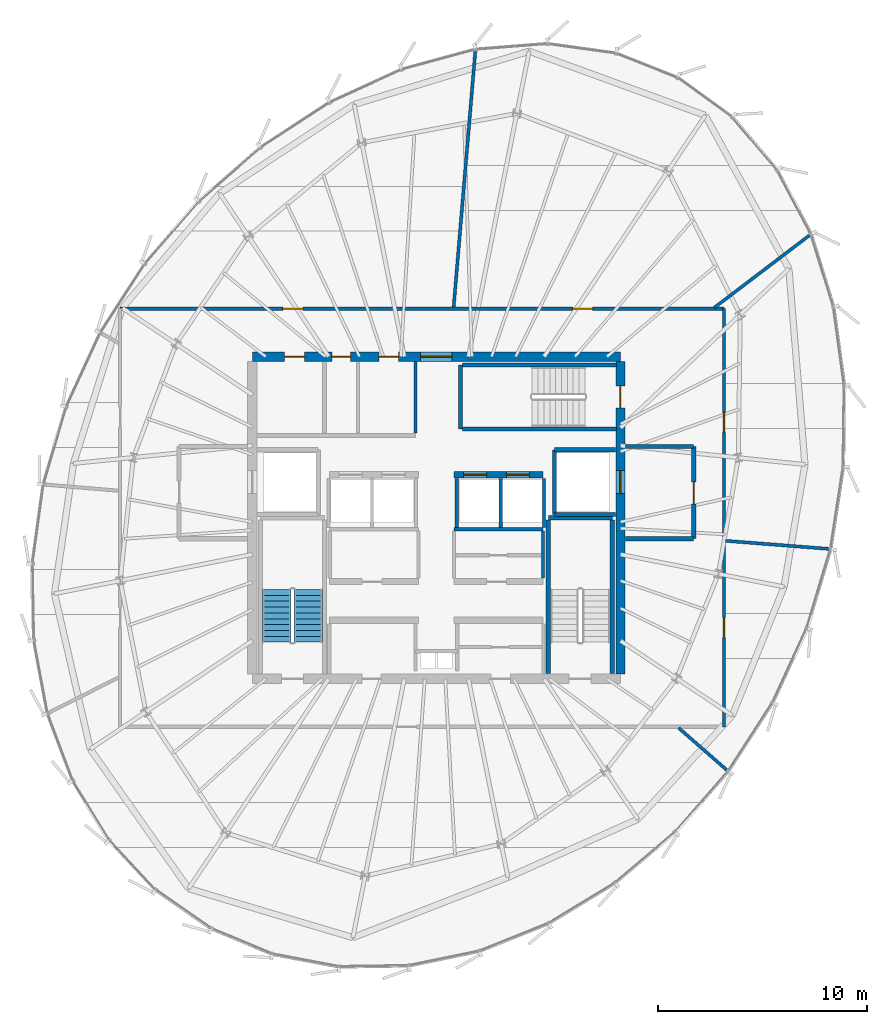
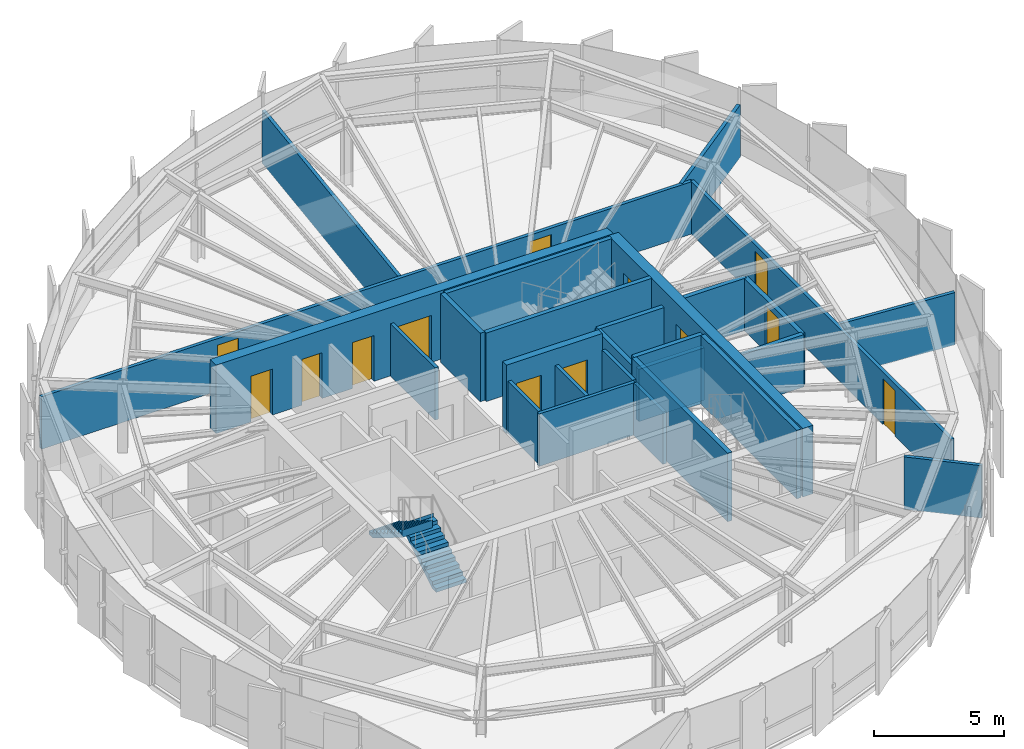
# One storey, part 27 of 32: 27 walls, 13 doors, 2 stair flights, 13 openings, 1 element without a shape of its own.
"""IFC4 building model written with IfcOpenShell, lengths in metres."""

from ifc_helpers import new_model, si_unit, direction, frame, frame_2d, origin, place, context, subcontext, project, spatial, polyline, rectangle, outline, extrude, source, transform, mapped, material, layer, layer_set, type_object, element, fill, aggregate, save


model = new_model("IFC4")

# Units and contexts
model_context = context("Model", 3, precision=1e-05, world=origin(), true_north=direction((0.0, 1.0)))
body_context = subcontext(model_context, "Body", "Model", "MODEL_VIEW")
ifc_project = project(units=[si_unit("LENGTHUNIT", "METRE"), si_unit("AREAUNIT", "SQUARE_METRE"), si_unit("VOLUMEUNIT", "CUBIC_METRE"), si_unit("PLANEANGLEUNIT", "RADIAN"), si_unit("MASSUNIT", "GRAM", prefix="KILO"), si_unit("THERMODYNAMICTEMPERATUREUNIT", "KELVIN")], contexts=[model_context])

# Site, building, storey
site_placement = place(None, origin())
site = spatial("IfcSite", under=ifc_project, at=site_placement, CompositionType="ELEMENT")
building_placement = place(site_placement, origin())
building = spatial("IfcBuilding", under=site, at=building_placement, Name="Kethvar Cultural Tower", CompositionType="ELEMENT")
storey_placement = place(building_placement, frame((0.0, 0.0, 280.14990234375)))
storey = spatial("IfcBuildingStorey", under=building, at=storey_placement, Name="L74", CompositionType="ELEMENT", Elevation=280.14990234375)

# Wall, openings, doors
ifc_material_1 = material(Name="Concrete C50/60", Category="concrete")
ifc_layer_1 = layer(ifc_material_1, 0.449951171875, Name="Concrete C50/60", Category="concrete")
ifc_layer_set_1 = layer_set([ifc_layer_1], Name="Concrete C50/60 (450 mm)")
wall_type_1 = type_object("IfcWallType", Name="WL-CORE-450", PredefinedType="SHEAR", material=ifc_layer_set_1)
wall_1_placement = place(storey_placement, frame((55.60009765625, 35.5, 0.0), z_axis=(0.0, 0.0, 1.0), x_axis=(-1.0, 0.0, 0.0)))
wall_1 = element("IfcWall", 1, at=wall_1_placement, inside=storey, type_object=wall_type_1, Name="L74 Core Shear Wall N", PredefinedType="SHEAR", context=body_context, shape_type="SweptSolid", body=[
    extrude(rectangle(XDim=17.60009765625, YDim=0.449951171875, at=frame_2d((8.800048828125, 0.0))), origin(), (0.0, 0.0, 1.0), 3.210205078125),
])
opening_1_placement = place(wall_1_placement, frame((8.050048828125, 0.0, 0.0)))
opening_1 = element("IfcOpeningElement", 2, at=opening_1_placement, cuts=wall_1, Name="Opening D-L74-LN", PredefinedType="OPENING", context=body_context, shape_type="SweptSolid", body=[
    extrude(rectangle(XDim=1.5, YDim=2.199951171875, at=frame_2d((0.75, 1.10009765625))), frame((0.0, 0.23486328125, 0.0), z_axis=(0.0, -1.0, 0.0), x_axis=(1.0, 0.0, 0.0)), (0.0, 0.0, 1.0), 0.469970703125),
])
opening_2_placement = place(wall_1_placement, frame((15.10009765625, 0.0, 0.0)))
opening_2 = element("IfcOpeningElement", 3, at=opening_2_placement, cuts=wall_1, Name="Opening D-L74-E1", PredefinedType="OPENING", context=body_context, shape_type="SweptSolid", body=[
    extrude(rectangle(XDim=0.949951171875, YDim=2.14990234375, at=frame_2d((0.47509765625, 1.074951171875))), frame((0.0, 0.23486328125, 0.0), z_axis=(0.0, -1.0, 0.0), x_axis=(1.0, 0.0, 0.0)), (0.0, 0.0, 1.0), 0.469970703125),
])
opening_3_placement = place(wall_1_placement, frame((12.89990234375, 0.0, 0.0)))
opening_3 = element("IfcOpeningElement", 4, at=opening_3_placement, cuts=wall_1, Name="Opening D-L74-W1", PredefinedType="OPENING", context=body_context, shape_type="SweptSolid", body=[
    extrude(rectangle(XDim=0.89990234375, YDim=2.14990234375, at=frame_2d((0.449951171875, 1.074951171875))), frame((0.0, 0.23486328125, 0.0), z_axis=(0.0, -1.0, 0.0), x_axis=(1.0, 0.0, 0.0)), (0.0, 0.0, 1.0), 0.469970703125),
])
opening_4_placement = place(wall_1_placement, frame((10.60009765625, 0.0, 0.0)))
opening_4 = element("IfcOpeningElement", 5, at=opening_4_placement, cuts=wall_1, Name="Opening D-L74-W2", PredefinedType="OPENING", context=body_context, shape_type="SweptSolid", body=[
    extrude(rectangle(XDim=0.949951171875, YDim=2.14990234375, at=frame_2d((0.47509765625, 1.074951171875))), frame((0.0, 0.23486328125, 0.0), z_axis=(0.0, -1.0, 0.0), x_axis=(1.0, 0.0, 0.0)), (0.0, 0.0, 1.0), 0.469970703125),
])
ifc_material_2 = material(Name="Architectural Oak Timber", Category="wood")
door_type_1 = type_object("IfcDoorType", Name="DR-DBL-FD60-1500", OperationType="DOUBLE_DOOR_SINGLE_SWING", PredefinedType="DOOR", material=ifc_material_2)
shared_shape_1 = source(origin(), body_context, "Body", "SweptSolid", [
    extrude(rectangle(XDim=1.5, YDim=2.199951171875, at=frame_2d((0.75, 1.10009765625))), frame((0.0, 0.02490234375, 0.0), z_axis=(0.0, -1.0, 0.0), x_axis=(1.0, 0.0, 0.0)), (0.0, 0.0, 1.0), 0.050048828125),
])
door_1_placement = place(opening_1_placement, origin())
door_1 = element("IfcDoor", 6, at=door_1_placement, inside=storey, type_object=door_type_1, Name="L74 Lift Lobby Concourse Door", OperationType="DOUBLE_DOOR_SINGLE_SWING", OverallHeight=2.199951171875, OverallWidth=1.5, PredefinedType="DOOR", context=body_context, shape_type="MappedRepresentation", body=[
    mapped(shared_shape_1, transform((0.0, 0.0, 0.0), scale=1.0)),
])
fill(opening_1, door_1)
door_type_2 = type_object("IfcDoorType", Name="DR-FD30-950", OperationType="NOTDEFINED", PredefinedType="DOOR", material=ifc_material_2)
shared_shape_2 = source(origin(), body_context, "Body", "SweptSolid", [
    extrude(rectangle(XDim=0.949951171875, YDim=2.14990234375, at=frame_2d((0.47509765625, 1.074951171875))), frame((0.0, 0.02490234375, 0.0), z_axis=(0.0, -1.0, 0.0), x_axis=(1.0, 0.0, 0.0)), (0.0, 0.0, 1.0), 0.050048828125),
])
door_2_placement = place(opening_2_placement, origin())
door_2 = element("IfcDoor", 7, at=door_2_placement, inside=storey, type_object=door_type_2, Name="L74 Electrical Switchgear Door", OperationType="SINGLE_SWING_RIGHT", OverallHeight=2.14990234375, OverallWidth=0.949951171875, PredefinedType="DOOR", context=body_context, shape_type="MappedRepresentation", body=[
    mapped(shared_shape_2, transform((0.0, 0.0, 0.0), scale=1.0)),
])
fill(opening_2, door_2)
door_3_placement = place(opening_4_placement, origin())
door_3 = element("IfcDoor", 8, at=door_3_placement, inside=storey, type_object=door_type_2, Name="L74 Public Washroom Door", OperationType="SINGLE_SWING_RIGHT", OverallHeight=2.14990234375, OverallWidth=0.949951171875, PredefinedType="DOOR", context=body_context, shape_type="MappedRepresentation", body=[
    mapped(shared_shape_2, transform((0.0, 0.0, 0.0), scale=1.0)),
])
fill(opening_4, door_3)
door_type_3 = type_object("IfcDoorType", Name="DR-FD30-900", OperationType="NOTDEFINED", PredefinedType="DOOR", material=ifc_material_2)
shared_shape_3 = source(origin(), body_context, "Body", "SweptSolid", [
    extrude(rectangle(XDim=0.89990234375, YDim=2.14990234375, at=frame_2d((0.449951171875, 1.074951171875))), frame((0.0, 0.02490234375, 0.0), z_axis=(0.0, -1.0, 0.0), x_axis=(1.0, 0.0, 0.0)), (0.0, 0.0, 1.0), 0.050048828125),
])
door_4_placement = place(opening_3_placement, origin())
door_4 = element("IfcDoor", 9, at=door_4_placement, inside=storey, type_object=door_type_3, Name="L74 Accessible Washroom Door", OperationType="SINGLE_SWING_LEFT", OverallHeight=2.14990234375, OverallWidth=0.89990234375, PredefinedType="DOOR", context=body_context, shape_type="MappedRepresentation", body=[
    mapped(shared_shape_3, transform((0.0, 0.0, 0.0), scale=1.0)),
])
fill(opening_3, door_4)

wall_2_placement = place(storey_placement, frame((55.60009765625, 20.340087890625, 0.0), z_axis=(0.0, 0.0, 1.0), x_axis=(0.0, 1.0, 0.0)))
wall_2 = element("IfcWall", 10, at=wall_2_placement, inside=storey, type_object=wall_type_1, Name="L74 Core Shear Wall E", PredefinedType="SHEAR", context=body_context, shape_type="SweptSolid", body=[
    extrude(rectangle(XDim=14.919921875, YDim=0.449951171875, at=frame_2d((7.4599609375, 0.0))), origin(), (0.0, 0.0, 1.0), 3.210205078125),
])
opening_5_placement = place(wall_2_placement, frame((12.7099609375, 0.0, 0.0)))
opening_5 = element("IfcOpeningElement", 11, at=opening_5_placement, cuts=wall_2, Name="Opening D-L74-S3", PredefinedType="OPENING", context=body_context, shape_type="SweptSolid", body=[
    extrude(rectangle(XDim=1.050048828125, YDim=2.14990234375, at=frame_2d((0.52490234375, 1.074951171875))), frame((0.0, 0.23486328125, 0.0), z_axis=(0.0, -1.0, 0.0), x_axis=(1.0, 0.0, 0.0)), (0.0, 0.0, 1.0), 0.469970703125),
])
opening_6_placement = place(wall_2_placement, frame((8.610107421875, 0.0, 0.0)))
opening_6 = element("IfcOpeningElement", 12, at=opening_6_placement, cuts=wall_2, Name="Opening LD-2", PredefinedType="OPENING", context=body_context, shape_type="SweptSolid", body=[
    extrude(rectangle(XDim=1.10009765625, YDim=2.199951171875, at=frame_2d((0.550048828125, 1.10009765625))), frame((0.0, 0.23486328125, 0.0), z_axis=(0.0, -1.0, 0.0), x_axis=(1.0, 0.0, 0.0)), (0.0, 0.0, 1.0), 0.469970703125),
])
ifc_material_3 = material(Name="Steel S355J2", Category="steel")
door_type_4 = type_object("IfcDoorType", Name="DR-FD60-1050", OperationType="NOTDEFINED", PredefinedType="DOOR", material=ifc_material_3)
shared_shape_4 = source(origin(), body_context, "Body", "SweptSolid", [
    extrude(rectangle(XDim=1.050048828125, YDim=2.14990234375, at=frame_2d((0.52490234375, 1.074951171875))), frame((0.0, 0.02490234375, 0.0), z_axis=(0.0, -1.0, 0.0), x_axis=(1.0, 0.0, 0.0)), (0.0, 0.0, 1.0), 0.050048828125),
])
door_5_placement = place(opening_5_placement, origin())
door_5 = element("IfcDoor", 13, at=door_5_placement, inside=storey, type_object=door_type_4, Name="L74 Exit Stair 3 Door", OperationType="SINGLE_SWING_LEFT", OverallHeight=2.14990234375, OverallWidth=1.050048828125, PredefinedType="DOOR", context=body_context, shape_type="MappedRepresentation", body=[
    mapped(shared_shape_4, transform((0.0, 0.0, 0.0), scale=1.0)),
])
fill(opening_5, door_5)
door_type_5 = type_object("IfcDoorType", Name="DR-LIFT-SLIDE-1100", OperationType="NOTDEFINED", PredefinedType="DOOR", material=ifc_material_3)
shared_shape_5 = source(origin(), body_context, "Body", "SweptSolid", [
    extrude(rectangle(XDim=1.10009765625, YDim=2.199951171875, at=frame_2d((0.550048828125, 1.10009765625))), frame((0.0, 0.02490234375, 0.0), z_axis=(0.0, -1.0, 0.0), x_axis=(1.0, 0.0, 0.0)), (0.0, 0.0, 1.0), 0.050048828125),
])
door_6_placement = place(opening_6_placement, origin())
door_6 = element("IfcDoor", 14, at=door_6_placement, inside=storey, type_object=door_type_5, Name="L74 Firefighting Lift Landing Door FFL-02", OperationType="SLIDING_TO_RIGHT", OverallHeight=2.199951171875, OverallWidth=1.10009765625, PredefinedType="DOOR", context=body_context, shape_type="MappedRepresentation", body=[
    mapped(shared_shape_5, transform((0.0, 0.0, 0.0), scale=1.0)),
])
fill(opening_6, door_6)

# Walls
ifc_material_4 = material(Name="Gypsum Fireboard Partition")
ifc_layer_2 = layer(ifc_material_4, 0.14990234375, Name="Gypsum Fireboard Partition")
ifc_layer_set_2 = layer_set([ifc_layer_2], Name="Gypsum Fireboard Partition (150 mm)")
wall_type_2 = type_object("IfcWallType", Name="WL-FIRE-150", PredefinedType="PARTITIONING", material=ifc_layer_set_2)
wall_3_placement = place(storey_placement, frame((47.64990234375, 27.25, 0.0), z_axis=(0.0, 0.0, 1.0), x_axis=(1.0, 0.0, 0.0)))
element("IfcWall", 15, at=wall_3_placement, inside=storey, type_object=wall_type_2, Name="L74 Reclaimed Mid Wall E", PredefinedType="PARTITIONING", context=body_context, shape_type="SweptSolid", body=[
    extrude(rectangle(XDim=4.25, YDim=0.14990234375, at=frame_2d((2.125, 0.0))), origin(), (0.0, 0.0, 1.0), 2.455078125),
])
wall_4_placement = place(storey_placement, frame((51.89990234375, 24.919921875, 0.0), z_axis=(0.0, 0.0, 1.0), x_axis=(0.0, 1.0, 0.0)))
element("IfcWall", 16, at=wall_4_placement, inside=storey, type_object=wall_type_2, Name="L74 Reclaimed Mid Outer E", PredefinedType="PARTITIONING", context=body_context, shape_type="SweptSolid", body=[
    extrude(rectangle(XDim=2.239990234375, YDim=0.14990234375, at=frame_2d((1.1201171875, 0.0))), origin(), (0.0, 0.0, 1.0), 2.455078125),
])
for number, where, z_axis, x_axis, name in (
    (17, (47.77490234375, 27.340087890625, 0.0), (0.0, 0.0, 1.0), (0.0, 1.0, 0.0), "L74 High-Rise Lift Shaft Concourse Wall E"),
    (18, (49.875, 27.340087890625, 0.0), (0.0, 0.0, 1.0), (0.0, 1.0, 0.0), "L74 High-Rise Lift Shaft Divider E"),
    (19, (51.949951171875, 27.340087890625, 0.0), (0.0, 0.0, 1.0), (0.0, 1.0, 0.0), "L74 High-Rise Lift Shaft Outer Wall E"),
):
    element("IfcWall", number, at=place(storey_placement, frame(where, z_axis=z_axis, x_axis=x_axis)), inside=storey, type_object=wall_type_2, Name=name, PredefinedType="PARTITIONING", context=body_context, shape_type="SweptSolid", body=[
        extrude(rectangle(XDim=2.33984375, YDim=0.14990234375, at=frame_2d((1.169921875, 0.0))), origin(), (0.0, 0.0, 1.0), 2.455078125),
    ])
wall_5_placement = place(storey_placement, frame((45.800048828125, 31.85009765625, 0.0), z_axis=(0.0, 0.0, 1.0), x_axis=(0.0, 1.0, 0.0)))
element("IfcWall", 20, at=wall_5_placement, inside=storey, type_object=wall_type_2, Name="L74 Sanitary Spine Wall", PredefinedType="PARTITIONING", context=body_context, shape_type="SweptSolid", body=[
    extrude(rectangle(XDim=3.414794921875, YDim=0.14990234375, at=frame_2d((1.70751953125, 0.0))), origin(), (0.0, 0.0, 1.0), 2.455078125),
])

# Wall, openings, doors
wall_6_placement = place(storey_placement, frame((60.550048828125, 17.806884765625, 0.0), z_axis=(0.0, 0.0, 1.0), x_axis=(0.0, 1.0, 0.0)))
wall_6 = element("IfcWall", 21, at=wall_6_placement, inside=storey, type_object=wall_type_2, Name="L74 Corridor Rated Wall E", PredefinedType="PARTITIONING", context=body_context, shape_type="SweptSolid", body=[
    extrude(rectangle(XDim=19.986083984375, YDim=0.14990234375, at=frame_2d((9.9931640625, 0.0))), origin(), (0.0, 0.0, 1.0), 2.455078125),
])
opening_7_placement = place(wall_6_placement, frame((4.263427734375, 0.0, 0.0)))
opening_7 = element("IfcOpeningElement", 22, at=opening_7_placement, cuts=wall_6, Name="Opening D-L74-02", PredefinedType="OPENING", context=body_context, shape_type="SweptSolid", body=[
    extrude(rectangle(XDim=0.949951171875, YDim=2.14990234375, at=frame_2d((0.47509765625, 1.074951171875))), frame((0.0, 0.0849609375, 0.0), z_axis=(0.0, -1.0, 0.0), x_axis=(1.0, 0.0, 0.0)), (0.0, 0.0, 1.0), 0.169921875),
])
opening_8_placement = place(wall_6_placement, frame((14.075927734375, 0.0, 0.0)))
opening_8 = element("IfcOpeningElement", 23, at=opening_8_placement, cuts=wall_6, Name="Opening D-L74-03", PredefinedType="OPENING", context=body_context, shape_type="SweptSolid", body=[
    extrude(rectangle(XDim=0.949951171875, YDim=2.14990234375, at=frame_2d((0.47509765625, 1.074951171875))), frame((0.0, 0.0849609375, 0.0), z_axis=(0.0, -1.0, 0.0), x_axis=(1.0, 0.0, 0.0)), (0.0, 0.0, 1.0), 0.169921875),
])
door_7_placement = place(opening_7_placement, origin())
door_7 = element("IfcDoor", 24, at=door_7_placement, inside=storey, type_object=door_type_2, Name="L74 Hospitality Sitting Lounge 02 Door", OperationType="SINGLE_SWING_RIGHT", OverallHeight=2.14990234375, OverallWidth=0.949951171875, PredefinedType="DOOR", context=body_context, shape_type="MappedRepresentation", body=[
    mapped(shared_shape_2, transform((0.0, 0.0, 0.0), scale=1.0)),
])
fill(opening_7, door_7)
door_8_placement = place(opening_8_placement, origin())
door_8 = element("IfcDoor", 25, at=door_8_placement, inside=storey, type_object=door_type_2, Name="L74 Institutional Tenant Office 03 Door", OperationType="SINGLE_SWING_LEFT", OverallHeight=2.14990234375, OverallWidth=0.949951171875, PredefinedType="DOOR", context=body_context, shape_type="MappedRepresentation", body=[
    mapped(shared_shape_2, transform((0.0, 0.0, 0.0), scale=1.0)),
])
fill(opening_8, door_8)

wall_7_placement = place(storey_placement, frame((60.550048828125, 37.79296875, 0.0), z_axis=(0.0, 0.0, 1.0), x_axis=(-1.0, 0.0, 0.0)))
wall_7 = element("IfcWall", 26, at=wall_7_placement, inside=storey, type_object=wall_type_2, Name="L74 Corridor Rated Wall N", PredefinedType="PARTITIONING", context=body_context, shape_type="SweptSolid", body=[
    extrude(rectangle(XDim=28.8701171875, YDim=0.14990234375, at=frame_2d((14.43505859375, 0.0))), origin(), (0.0, 0.0, 1.0), 2.455078125),
])
opening_9_placement = place(wall_7_placement, frame((6.280517578125, 0.0, 0.0)))
opening_9 = element("IfcOpeningElement", 27, at=opening_9_placement, cuts=wall_7, Name="Opening D-L74-04", PredefinedType="OPENING", context=body_context, shape_type="SweptSolid", body=[
    extrude(rectangle(XDim=0.949951171875, YDim=2.14990234375, at=frame_2d((0.47509765625, 1.074951171875))), frame((0.0, 0.0849609375, 0.0), z_axis=(0.0, -1.0, 0.0), x_axis=(1.0, 0.0, 0.0)), (0.0, 0.0, 1.0), 0.169921875),
])
opening_10_placement = place(wall_7_placement, frame((20.135009765625, 0.0, 0.0)))
opening_10 = element("IfcOpeningElement", 28, at=opening_10_placement, cuts=wall_7, Name="Opening D-L74-05", PredefinedType="OPENING", context=body_context, shape_type="SweptSolid", body=[
    extrude(rectangle(XDim=0.949951171875, YDim=2.14990234375, at=frame_2d((0.47509765625, 1.074951171875))), frame((0.0, 0.0849609375, 0.0), z_axis=(0.0, -1.0, 0.0), x_axis=(1.0, 0.0, 0.0)), (0.0, 0.0, 1.0), 0.169921875),
])
door_9_placement = place(opening_9_placement, origin())
door_9 = element("IfcDoor", 29, at=door_9_placement, inside=storey, type_object=door_type_2, Name="L74 Operations Control Room 04 Door", OperationType="SINGLE_SWING_RIGHT", OverallHeight=2.14990234375, OverallWidth=0.949951171875, PredefinedType="DOOR", context=body_context, shape_type="MappedRepresentation", body=[
    mapped(shared_shape_2, transform((0.0, 0.0, 0.0), scale=1.0)),
])
fill(opening_9, door_9)
door_10_placement = place(opening_10_placement, origin())
door_10 = element("IfcDoor", 30, at=door_10_placement, inside=storey, type_object=door_type_2, Name="L74 Manuscript Archive Store 05 Door", OperationType="SINGLE_SWING_LEFT", OverallHeight=2.14990234375, OverallWidth=0.949951171875, PredefinedType="DOOR", context=body_context, shape_type="MappedRepresentation", body=[
    mapped(shared_shape_2, transform((0.0, 0.0, 0.0), scale=1.0)),
])
fill(opening_10, door_10)

# Walls
ifc_material_5 = material(Name="Concrete C40/50", Category="concrete")
ifc_layer_3 = layer(ifc_material_5, 0.199951171875, Name="Concrete C40/50", Category="concrete")
ifc_layer_set_3 = layer_set([ifc_layer_3], Name="Concrete C40/50 (200 mm)")
wall_type_3 = type_object("IfcWallType", Name="WL-FIRE-200", PredefinedType="PARTITIONING", material=ifc_layer_set_3)
wall_8_placement = place(storey_placement, frame((52.449951171875, 27.949951171875, 0.0), z_axis=(0.0, 0.0, 1.0), x_axis=(0.0, 1.0, 0.0)))
element("IfcWall", 31, at=wall_8_placement, inside=storey, type_object=wall_type_3, Name="L74 FFL-02 Shaft Inner Wall", PredefinedType="PARTITIONING", context=body_context, shape_type="SweptSolid", body=[
    extrude(rectangle(XDim=3.10009765625, YDim=0.199951171875, at=frame_2d((1.550048828125, 0.0))), origin(), (0.0, 0.0, 1.0), 2.455078125),
])
for number, where, z_axis, x_axis, name in (
    (32, (52.449951171875, 27.949951171875, 0.0), (0.0, 0.0, 1.0), (1.0, 0.0, 0.0), "L74 FFL-02 Shaft South Wall"),
    (33, (52.449951171875, 31.050048828125, 0.0), (0.0, 0.0, 1.0), (1.0, 0.0, 0.0), "L74 FFL-02 Shaft North Wall"),
):
    element("IfcWall", number, at=place(storey_placement, frame(where, z_axis=z_axis, x_axis=x_axis)), inside=storey, type_object=wall_type_3, Name=name, PredefinedType="PARTITIONING", context=body_context, shape_type="SweptSolid", body=[
        extrude(rectangle(XDim=2.9150390625, YDim=0.199951171875, at=frame_2d((1.45751953125, 0.0))), origin(), (0.0, 0.0, 1.0), 2.455078125),
    ])

# Wall, opening, door
wall_9_placement = place(storey_placement, frame((59.10009765625, 26.800048828125, 0.0), z_axis=(0.0, 0.0, 1.0), x_axis=(0.0, 1.0, 0.0)))
wall_9 = element("IfcWall", 34, at=wall_9_placement, inside=storey, type_object=wall_type_3, Name="L74 Firefighting Lobby 2 Wall", PredefinedType="PARTITIONING", context=body_context, shape_type="SweptSolid", body=[
    extrude(rectangle(XDim=4.39990234375, YDim=0.199951171875, at=frame_2d((2.199951171875, 0.0))), origin(), (0.0, 0.0, 1.0), 2.455078125),
])
opening_11_placement = place(wall_9_placement, frame((1.64990234375, 0.0, 0.0)))
opening_11 = element("IfcOpeningElement", 35, at=opening_11_placement, cuts=wall_9, Name="Opening D-L74-F2", PredefinedType="OPENING", context=body_context, shape_type="SweptSolid", body=[
    extrude(rectangle(XDim=1.050048828125, YDim=2.14990234375, at=frame_2d((0.52490234375, 1.074951171875))), frame((0.0, 0.10986328125, 0.0), z_axis=(0.0, -1.0, 0.0), x_axis=(1.0, 0.0, 0.0)), (0.0, 0.0, 1.0), 0.219970703125),
])
door_11_placement = place(opening_11_placement, origin())
door_11 = element("IfcDoor", 36, at=door_11_placement, inside=storey, type_object=door_type_4, Name="L74 Firefighting Lobby 2 Fire Door", OperationType="SINGLE_SWING_LEFT", OverallHeight=2.14990234375, OverallWidth=1.050048828125, PredefinedType="DOOR", context=body_context, shape_type="MappedRepresentation", body=[
    mapped(shared_shape_4, transform((0.0, 0.0, 0.0), scale=1.0)),
])
fill(opening_11, door_11)

# Walls
for number, where, z_axis, x_axis, name in (
    (37, (55.8349609375, 26.800048828125, 0.0), (0.0, 0.0, 1.0), (1.0, 0.0, 0.0), "L74 FF Lobby 2 South Wall"),
    (38, (55.8349609375, 31.199951171875, 0.0), (0.0, 0.0, 1.0), (1.0, 0.0, 0.0), "L74 FF Lobby 2 North Wall"),
):
    element("IfcWall", number, at=place(storey_placement, frame(where, z_axis=z_axis, x_axis=x_axis)), inside=storey, type_object=wall_type_3, Name=name, PredefinedType="PARTITIONING", context=body_context, shape_type="SweptSolid", body=[
        extrude(rectangle(XDim=3.26513671875, YDim=0.199951171875, at=frame_2d((1.632568359375, 0.0))), origin(), (0.0, 0.0, 1.0), 2.455078125),
    ])
ifc_material_6 = material(Name="Gypsum Acoustic Partition")
ifc_layer_4 = layer(ifc_material_6, 0.14990234375, Name="Gypsum Acoustic Partition")
ifc_layer_set_4 = layer_set([ifc_layer_4], Name="Gypsum Acoustic Partition (150 mm)")
wall_type_4 = type_object("IfcWallType", Name="WL-PART-150", PredefinedType="PARTITIONING", material=ifc_layer_set_4)
wall_10_placement = place(storey_placement, frame((58.380615234375, 17.75439453125, 0.0), z_axis=(0.0, 0.0, 1.0), x_axis=(0.752546906109, -0.658538650426, 0.0)))
element("IfcWall", 39, at=wall_10_placement, inside=storey, type_object=wall_type_4, Name="L74 Radial Partition Wall 02", PredefinedType="PARTITIONING", context=body_context, shape_type="SweptSolid", body=[
    extrude(rectangle(XDim=3.04638671875, YDim=0.14990234375, at=frame_2d((1.523193359375, 0.0))), origin(), (0.0, 0.0, 1.0), 2.455078125),
])
wall_11_placement = place(storey_placement, frame((60.6298828125, 26.69775390625, 0.0), z_axis=(0.0, 0.0, 1.0), x_axis=(0.996950475178, -0.078036850545, 0.0)))
element("IfcWall", 40, at=wall_11_placement, inside=storey, type_object=wall_type_4, Name="L74 Radial Partition Wall 03", PredefinedType="PARTITIONING", context=body_context, shape_type="SweptSolid", body=[
    extrude(rectangle(XDim=4.9306640625, YDim=0.14990234375, at=frame_2d((2.46533203125, 0.0))), origin(), (0.0, 0.0, 1.0), 2.455078125),
])
wall_12_placement = place(storey_placement, frame((60.083740234375, 37.84130859375, 0.0), z_axis=(0.0, 0.0, 1.0), x_axis=(0.796092215945, 0.605175333033, 0.0)))
element("IfcWall", 41, at=wall_12_placement, inside=storey, type_object=wall_type_4, Name="L74 Radial Partition Wall 04", PredefinedType="PARTITIONING", context=body_context, shape_type="SweptSolid", body=[
    extrude(rectangle(XDim=5.71484375, YDim=0.14990234375, at=frame_2d((2.857421875, 0.0))), origin(), (0.0, 0.0, 1.0), 2.455078125),
])
wall_13_placement = place(storey_placement, frame((47.625732421875, 37.872802734375, 0.0), z_axis=(0.0, 0.0, 1.0), x_axis=(0.084419293374, 0.996430320146, 0.0)))
element("IfcWall", 42, at=wall_13_placement, inside=storey, type_object=wall_type_4, Name="L74 Radial Partition Wall 05", PredefinedType="PARTITIONING", context=body_context, shape_type="SweptSolid", body=[
    extrude(rectangle(XDim=12.264892578125, YDim=0.14990234375, at=frame_2d((6.13232421875, 0.0))), origin(), (0.0, 0.0, 1.0), 2.455078125),
])

# Wall, openings, doors
ifc_layer_5 = layer(ifc_material_1, 0.300048828125, Name="Concrete C50/60", Category="concrete")
ifc_layer_set_5 = layer_set([ifc_layer_5], Name="Concrete C50/60 (300 mm)")
wall_type_5 = type_object("IfcWallType", Name="WL-SHAFT-300", PredefinedType="SHEAR", material=ifc_layer_set_5)
wall_14_placement = place(storey_placement, frame((47.64990234375, 29.85009765625, 0.0), z_axis=(0.0, 0.0, 1.0), x_axis=(1.0, 0.0, 0.0)))
wall_14 = element("IfcWall", 43, at=wall_14_placement, inside=storey, type_object=wall_type_5, Name="L74 Core Lift Spine Wall MID3E", PredefinedType="SHEAR", context=body_context, shape_type="SweptSolid", body=[
    extrude(rectangle(XDim=4.25, YDim=0.300048828125, at=frame_2d((2.125, 0.0))), origin(), (0.0, 0.0, 1.0), 3.210205078125),
])
opening_12_placement = place(wall_14_placement, frame((0.449951171875, 0.0, 0.0)))
opening_12 = element("IfcOpeningElement", 44, at=opening_12_placement, cuts=wall_14, Name="Opening LD-H3", PredefinedType="OPENING", context=body_context, shape_type="SweptSolid", body=[
    extrude(rectangle(XDim=1.10009765625, YDim=2.199951171875, at=frame_2d((0.550048828125, 1.10009765625))), frame((0.0, 0.159912109375, 0.0), z_axis=(0.0, -1.0, 0.0), x_axis=(1.0, 0.0, 0.0)), (0.0, 0.0, 1.0), 0.320068359375),
])
opening_13_placement = place(wall_14_placement, frame((2.5, 0.0, 0.0)))
opening_13 = element("IfcOpeningElement", 45, at=opening_13_placement, cuts=wall_14, Name="Opening LD-H4", PredefinedType="OPENING", context=body_context, shape_type="SweptSolid", body=[
    extrude(rectangle(XDim=1.10009765625, YDim=2.199951171875, at=frame_2d((0.550048828125, 1.10009765625))), frame((0.0, 0.159912109375, 0.0), z_axis=(0.0, -1.0, 0.0), x_axis=(1.0, 0.0, 0.0)), (0.0, 0.0, 1.0), 0.320068359375),
])
door_12_placement = place(opening_12_placement, origin())
door_12 = element("IfcDoor", 46, at=door_12_placement, inside=storey, type_object=door_type_5, Name="L74 High-Rise Lift Landing Door H3", OperationType="SLIDING_TO_LEFT", OverallHeight=2.199951171875, OverallWidth=1.10009765625, PredefinedType="DOOR", context=body_context, shape_type="MappedRepresentation", body=[
    mapped(shared_shape_5, transform((0.0, 0.0, 0.0), scale=1.0)),
])
fill(opening_12, door_12)
door_13_placement = place(opening_13_placement, origin())
door_13 = element("IfcDoor", 47, at=door_13_placement, inside=storey, type_object=door_type_5, Name="L74 High-Rise Lift Landing Door H4", OperationType="SLIDING_TO_LEFT", OverallHeight=2.199951171875, OverallWidth=1.10009765625, PredefinedType="DOOR", context=body_context, shape_type="MappedRepresentation", body=[
    mapped(shared_shape_5, transform((0.0, 0.0, 0.0), scale=1.0)),
])
fill(opening_13, door_13)

# Walls
ifc_layer_6 = layer(ifc_material_1, 0.199951171875, Name="Concrete C50/60", Category="concrete")
ifc_layer_set_6 = layer_set([ifc_layer_6], Name="Concrete C50/60 (200 mm)")
wall_type_6 = type_object("IfcWallType", Name="WL-STSHAFT-200", PredefinedType="SHEAR", material=ifc_layer_set_6)
wall_15_placement = place(storey_placement, frame((52.14990234375, 27.800048828125, 0.0), z_axis=(0.0, 0.0, 1.0), x_axis=(1.0, 0.0, 0.0)))
element("IfcWall", 48, at=wall_15_placement, inside=storey, type_object=wall_type_6, Name="L74 ST-02 Stair Shaft Wall FAR", PredefinedType="SHEAR", context=body_context, shape_type="SweptSolid", body=[
    extrude(rectangle(XDim=3.06005859375, YDim=0.199951171875, at=frame_2d((1.530029296875, 0.0))), origin(), (0.0, 0.0, 1.0), 3.210205078125),
])
for number, where, z_axis, x_axis, name in (
    (49, (55.2099609375, 27.699951171875, 0.0), (0.0, 0.0, 1.0), (0.0, -1.0, 0.0), "L74 ST-02 Stair Shaft Wall LEFT"),
    (50, (52.14990234375, 20.35009765625, 0.0), (0.0, 0.0, 1.0), (0.0, 1.0, 0.0), "L74 ST-02 Stair Shaft Wall RIGHT"),
):
    element("IfcWall", number, at=place(storey_placement, frame(where, z_axis=z_axis, x_axis=x_axis)), inside=storey, type_object=wall_type_6, Name=name, PredefinedType="SHEAR", context=body_context, shape_type="SweptSolid", body=[
        extrude(rectangle(XDim=7.349853515625, YDim=0.199951171875, at=frame_2d((3.6748046875, 0.0))), origin(), (0.0, 0.0, 1.0), 3.210205078125),
    ])
wall_16_placement = place(storey_placement, frame((47.949951171875, 32.050048828125, 0.0), z_axis=(0.0, 0.0, 1.0), x_axis=(0.0, 1.0, 0.0)))
element("IfcWall", 51, at=wall_16_placement, inside=storey, type_object=wall_type_6, Name="L74 ST-03 Stair Shaft Wall FAR", PredefinedType="SHEAR", context=body_context, shape_type="SweptSolid", body=[
    extrude(rectangle(XDim=3.06005859375, YDim=0.199951171875, at=frame_2d((1.530029296875, 0.0))), origin(), (0.0, 0.0, 1.0), 3.210205078125),
])
for number, where, z_axis, x_axis, name in (
    (52, (48.050048828125, 35.110107421875, 0.0), (0.0, 0.0, 1.0), (1.0, 0.0, 0.0), "L74 ST-03 Stair Shaft Wall LEFT"),
    (53, (55.39990234375, 32.050048828125, 0.0), (0.0, 0.0, 1.0), (-1.0, 0.0, 0.0), "L74 ST-03 Stair Shaft Wall RIGHT"),
):
    element("IfcWall", number, at=place(storey_placement, frame(where, z_axis=z_axis, x_axis=x_axis)), inside=storey, type_object=wall_type_6, Name=name, PredefinedType="SHEAR", context=body_context, shape_type="SweptSolid", body=[
        extrude(rectangle(XDim=7.349853515625, YDim=0.199951171875, at=frame_2d((3.6748046875, 0.0))), origin(), (0.0, 0.0, 1.0), 3.210205078125),
    ])

# Stair, stair flights
stair_type = type_object("IfcStairType", Name="ST-DOGLEG-135", PredefinedType="HALF_TURN_STAIR", material=ifc_material_5)
stair_placement = place(storey_placement, origin())
stair = element("IfcStair", 54, at=stair_placement, inside=storey, type_object=stair_type, Name="L74 Core Exit Stair 1", PredefinedType="HALF_TURN_STAIR")
stair_flight_type = type_object("IfcStairFlightType", Name="FL-STRAIGHT-135", PredefinedType="STRAIGHT", material=ifc_material_5)
stair_flight_1_placement = place(storey_placement, frame((40.675048828125, 21.85009765625, 0.0), z_axis=(0.0, 0.0, 1.0), x_axis=(0.0, 1.0, 0.0)))
stair_flight_1 = element("IfcStairFlight", 55, at=stair_flight_1_placement, type_object=stair_flight_type, Name="ST-01 flight 1", NumberOfRisers=10, NumberOfTreads=9, PredefinedType="STRAIGHT", RiserHeight=0.1725, TreadLength=0.28, context=body_context, shape_type="SweptSolid", body=[
    extrude(outline(polyline([(-0.0009765625, -0.0009765625), (-0.0009765625, 0.172607421875), (0.280029296875, 0.172607421875), (0.280029296875, 0.344970703125), (0.56005859375, 0.344970703125), (0.56005859375, 0.517578125), (0.840087890625, 0.517578125), (0.840087890625, 0.68994140625), (1.1201171875, 0.68994140625), (1.1201171875, 0.862548828125), (1.39990234375, 0.862548828125), (1.39990234375, 1.034912109375), (1.679931640625, 1.034912109375), (1.679931640625, 1.20751953125), (1.9599609375, 1.20751953125), (1.9599609375, 1.3798828125), (2.239990234375, 1.3798828125), (2.239990234375, 1.552490234375), (2.52001953125, 1.552490234375), (2.52001953125, 1.72509765625), (2.52099609375, 1.72509765625), (2.52099609375, 1.37646484375), (0.285888671875, 0.0), (0.0, -0.0009765625), (-0.0009765625, -0.0009765625)])), frame((0.0, 0.675048828125, 0.0), z_axis=(0.0, -1.0, 0.0), x_axis=(1.0, 0.0, 0.0)), (0.0, 0.0, 1.0), 1.35009765625),
])
stair_flight_2_placement = place(storey_placement, frame((39.1650390625, 24.3701171875, 1.72509765625), z_axis=(0.0, 0.0, 1.0), x_axis=(0.0, -1.0, 0.0)))
stair_flight_2 = element("IfcStairFlight", 56, at=stair_flight_2_placement, type_object=stair_flight_type, Name="ST-01 flight 2", NumberOfRisers=10, NumberOfTreads=9, PredefinedType="STRAIGHT", RiserHeight=0.1725, TreadLength=0.28, context=body_context, shape_type="SweptSolid", body=[
    extrude(outline(polyline([(-0.0009765625, -0.0009765625), (-0.0009765625, 0.172607421875), (0.280029296875, 0.172607421875), (0.280029296875, 0.344970703125), (0.56005859375, 0.344970703125), (0.56005859375, 0.517578125), (0.840087890625, 0.517578125), (0.840087890625, 0.68994140625), (1.1201171875, 0.68994140625), (1.1201171875, 0.862548828125), (1.39990234375, 0.862548828125), (1.39990234375, 1.034912109375), (1.679931640625, 1.034912109375), (1.679931640625, 1.20751953125), (1.9599609375, 1.20751953125), (1.9599609375, 1.3798828125), (2.239990234375, 1.3798828125), (2.239990234375, 1.552490234375), (2.52001953125, 1.552490234375), (2.52001953125, 1.72509765625), (2.52099609375, 1.72509765625), (2.52099609375, 1.37646484375), (0.285888671875, 0.0), (0.0, -0.0009765625), (-0.0009765625, -0.0009765625)])), frame((0.0, 0.675048828125, 0.0), z_axis=(0.0, -1.0, 0.0), x_axis=(1.0, 0.0, 0.0)), (0.0, 0.0, 1.0), 1.35009765625),
])
aggregate(stair, [stair_flight_1, stair_flight_2])

save(model, "model.ifc")
